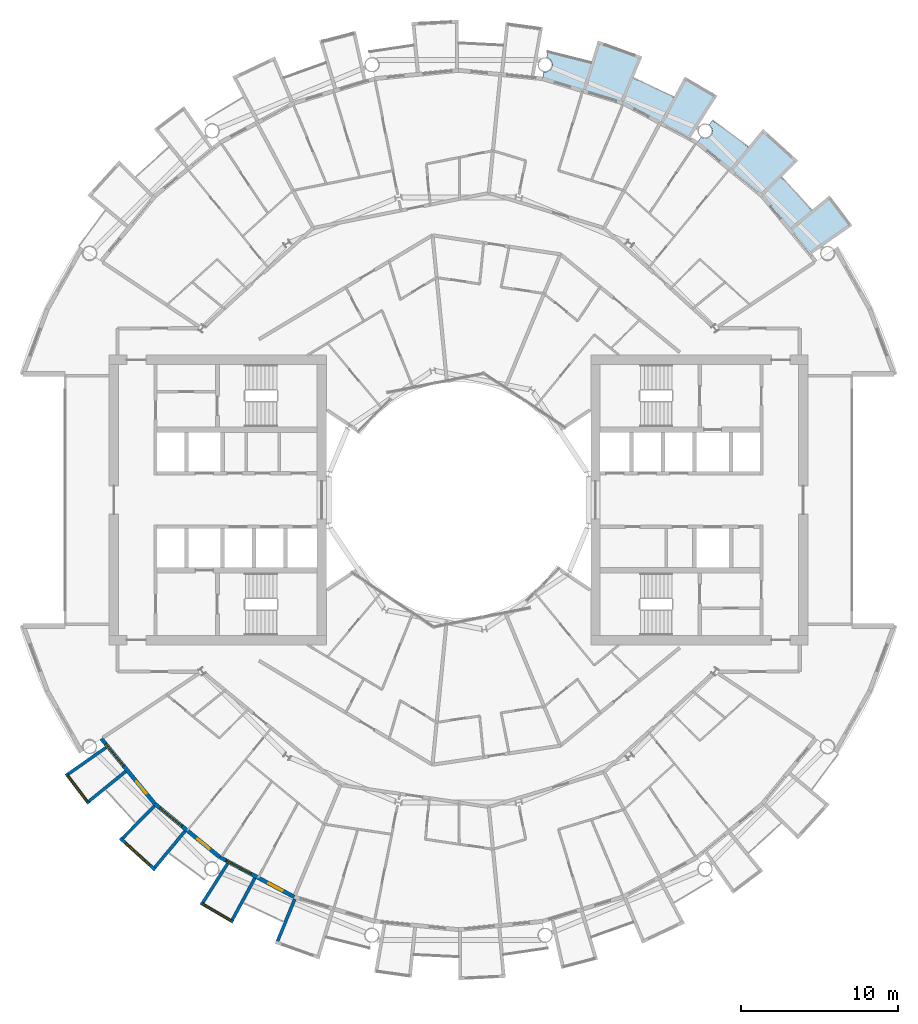
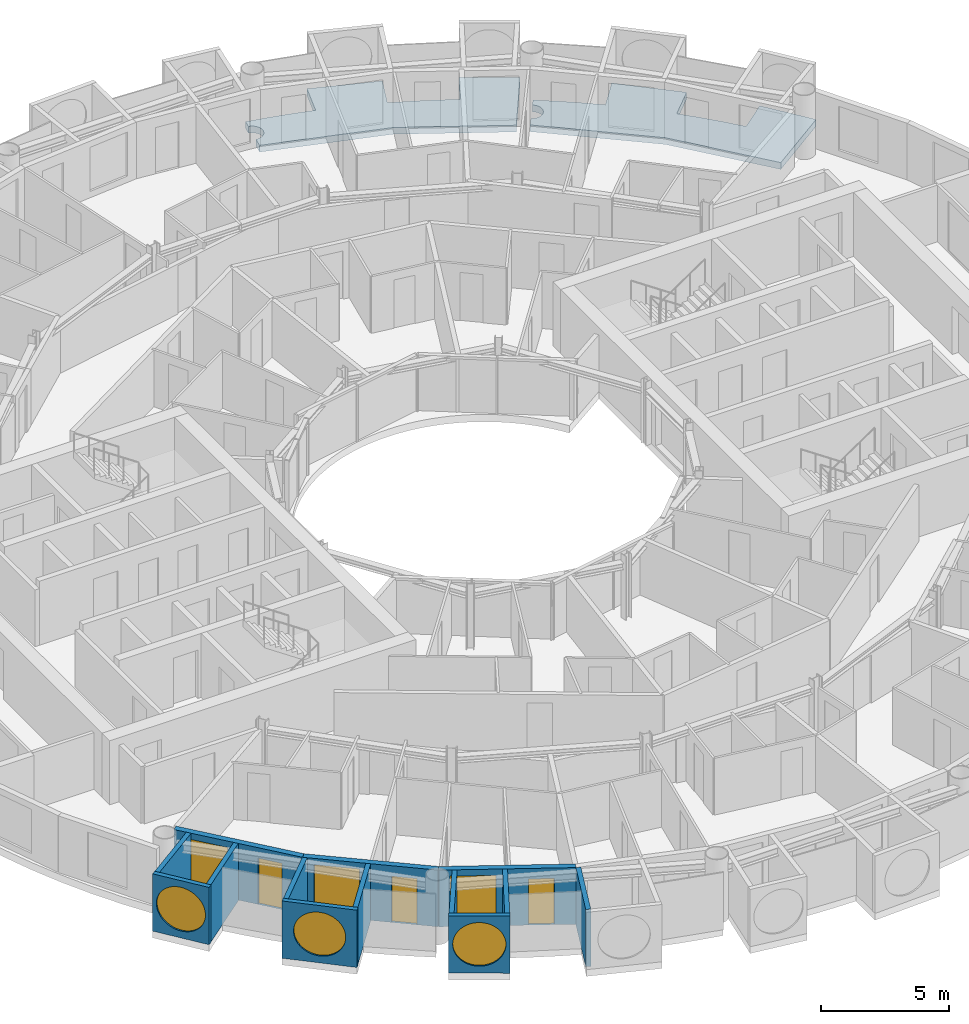
# One storey, part 13 of 28: 13 walls, 6 windows, 3 doors, 2 slabs, 9 openings.
"""IFC4 building model written with IfcOpenShell, lengths in metres."""

from ifc_helpers import new_model, si_unit, direction, frame, frame_2d, origin, place, context, subcontext, project, spatial, polyline, rectangle, circle, outline, extrude, material, layer, layer_set, type_object, element, fill, save


model = new_model("IFC4")

# Units and contexts
model_context = context("Model", 3, precision=1e-05, world=origin(), true_north=direction((0.0, 1.0)))
body_context = subcontext(model_context, "Body", "Model", "MODEL_VIEW")
ifc_project = project(units=[si_unit("LENGTHUNIT", "METRE"), si_unit("AREAUNIT", "SQUARE_METRE"), si_unit("VOLUMEUNIT", "CUBIC_METRE"), si_unit("PLANEANGLEUNIT", "RADIAN"), si_unit("MASSUNIT", "GRAM", prefix="KILO")], contexts=[model_context])

# Site, building, storey
site_placement = place(None, origin())
site = spatial("IfcSite", under=ifc_project, at=site_placement, CompositionType="ELEMENT")
building_placement = place(site_placement, origin())
building = spatial("IfcBuilding", under=site, at=building_placement, Name="Maasbend Ring Residences", CompositionType="ELEMENT")
storey_placement = place(building_placement, frame((0.0, 0.0, 129.949951171875)))
storey = spatial("IfcBuildingStorey", under=building, at=storey_placement, Name="L37", CompositionType="ELEMENT", Elevation=129.949951171875)

# Slabs
ifc_material_1 = material(Name="Concrete C40/50", Category="concrete")
ifc_layer_1 = layer(ifc_material_1, 0.199951171875)
ifc_layer_set_1 = layer_set([ifc_layer_1], Name="Concrete C40/50")
slab_type = type_object("IfcSlabType", Name="SL-LOGGIA", PredefinedType="FLOOR", material=ifc_layer_set_1)
slab_1_placement = place(storey_placement, frame((0.0, 0.0, -0.349853515625)))
element("IfcSlab", 1, at=slab_1_placement, inside=storey, type_object=slab_type, Name="Loggia floor 2", PredefinedType="FLOOR", context=body_context, shape_type="SweptSolid", body=[
    extrude(outline(polyline([(5.446044921875, 27.205078125), (5.45703125, 27.202880859375), (5.468017578125, 27.201904296875), (5.47900390625, 27.201904296875), (5.489990234375, 27.200927734375), (5.501953125, 27.200927734375), (5.512939453125, 27.200927734375), (5.52392578125, 27.201904296875), (5.534912109375, 27.201904296875), (5.5458984375, 27.202880859375), (5.556884765625, 27.205078125), (5.569091796875, 27.2060546875), (5.580078125, 27.2080078125), (5.591064453125, 27.2099609375), (5.60205078125, 27.2119140625), (5.613037109375, 27.215087890625), (5.623046875, 27.218017578125), (5.634033203125, 27.220947265625), (5.64501953125, 27.22412109375), (5.655029296875, 27.22802734375), (5.666015625, 27.23193359375), (5.676025390625, 27.236083984375), (5.68701171875, 27.239990234375), (5.697021484375, 27.2451171875), (5.70703125, 27.25), (5.717041015625, 27.2548828125), (5.72705078125, 27.260009765625), (5.736083984375, 27.26611328125), (5.74609375, 27.27197265625), (5.7548828125, 27.278076171875), (5.764892578125, 27.283935546875), (5.77392578125, 27.291015625), (5.782958984375, 27.298095703125), (5.791015625, 27.304931640625), (5.800048828125, 27.31201171875), (5.80810546875, 27.319091796875), (5.81689453125, 27.326904296875), (5.824951171875, 27.3349609375), (5.83203125, 27.343017578125), (5.840087890625, 27.35107421875), (5.847900390625, 27.360107421875), (5.85498046875, 27.367919921875), (5.862060546875, 27.376953125), (5.868896484375, 27.385986328125), (5.875, 27.39501953125), (5.881103515625, 27.404052734375), (5.887939453125, 27.4140625), (5.89306640625, 27.423095703125), (5.89892578125, 27.43310546875), (5.905029296875, 27.443115234375), (5.909912109375, 27.452880859375), (5.9150390625, 27.462890625), (5.9189453125, 27.472900390625), (5.924072265625, 27.48291015625), (5.927978515625, 27.493896484375), (5.931884765625, 27.50390625), (5.93505859375, 27.514892578125), (5.93896484375, 27.52490234375), (5.94189453125, 27.535888671875), (5.945068359375, 27.547119140625), (5.947021484375, 27.55810546875), (5.949951171875, 27.569091796875), (5.951904296875, 27.580078125), (5.9541015625, 27.591064453125), (5.955078125, 27.60205078125), (5.9560546875, 27.613037109375), (5.95703125, 27.6240234375), (5.9580078125, 27.635986328125), (5.9580078125, 27.64697265625), (5.9580078125, 27.657958984375), (5.9580078125, 27.6689453125), (5.9580078125, 27.680908203125), (5.95703125, 27.69189453125), (5.9560546875, 27.702880859375), (5.955078125, 27.714111328125), (5.9541015625, 27.72509765625), (5.951904296875, 27.736083984375), (5.949951171875, 27.7470703125), (5.947021484375, 27.758056640625), (5.945068359375, 27.76904296875), (5.94189453125, 27.780029296875), (5.93896484375, 27.791015625), (5.93505859375, 27.801025390625), (5.931884765625, 27.81201171875), (5.927978515625, 27.822998046875), (5.924072265625, 27.8330078125), (5.9189453125, 27.843017578125), (5.9150390625, 27.85302734375), (5.909912109375, 27.864013671875), (5.905029296875, 27.8740234375), (5.89892578125, 27.883056640625), (5.89306640625, 27.89306640625), (5.887939453125, 27.903076171875), (5.881103515625, 27.912109375), (5.875, 27.9208984375), (5.868896484375, 27.929931640625), (5.862060546875, 27.93896484375), (5.85498046875, 27.947998046875), (5.847900390625, 27.95703125), (5.840087890625, 27.965087890625), (5.83203125, 27.972900390625), (5.824951171875, 27.98095703125), (5.81689453125, 27.989013671875), (5.80810546875, 27.9970703125), (5.800048828125, 28.00390625), (5.791015625, 28.010986328125), (5.782958984375, 28.01806640625), (5.77392578125, 28.02490234375), (5.764892578125, 28.031982421875), (5.7548828125, 28.0380859375), (5.74609375, 28.0439453125), (5.736083984375, 28.050048828125), (5.72705078125, 28.055908203125), (5.717041015625, 28.06103515625), (5.70703125, 28.06591796875), (5.697021484375, 28.071044921875), (5.68701171875, 28.075927734375), (5.676025390625, 28.080078125), (5.666015625, 28.083984375), (5.655029296875, 28.087890625), (5.64501953125, 28.092041015625), (5.634033203125, 28.094970703125), (5.623046875, 28.09912109375), (5.613037109375, 28.10107421875), (5.60205078125, 28.10400390625), (5.591064453125, 28.10595703125), (5.657958984375, 28.443115234375), (5.657958984375, 28.443115234375), (5.657958984375, 28.443115234375), (6.5849609375, 28.241943359375), (6.5849609375, 28.241943359375), (7.506103515625, 28.011962890625), (7.506103515625, 28.011962890625), (8.41796875, 27.7509765625), (8.41796875, 27.7509765625), (8.41796875, 27.7509765625), (8.41796875, 27.7509765625), (8.41796875, 27.7509765625), (8.41796875, 27.7509765625), (8.41796875, 27.7509765625), (8.41796875, 27.7509765625), (8.41796875, 27.7509765625), (8.41796875, 27.7509765625), (8.41796875, 27.751953125), (8.41796875, 27.751953125), (8.41796875, 27.751953125), (8.41796875, 27.751953125), (8.41796875, 27.751953125), (8.41796875, 27.751953125), (8.41796875, 27.751953125), (8.85400390625, 29.18701171875), (8.85400390625, 29.18701171875), (8.85400390625, 29.18701171875), (11.672119140625, 28.177978515625), (11.672119140625, 28.177978515625), (11.672119140625, 28.177978515625), (11.097900390625, 26.79296875), (11.097900390625, 26.79296875), (11.097900390625, 26.79296875), (11.097900390625, 26.79296875), (11.097900390625, 26.79296875), (11.097900390625, 26.79296875), (11.097900390625, 26.79296875), (11.097900390625, 26.79296875), (11.097900390625, 26.79296875), (11.097900390625, 26.79296875), (11.097900390625, 26.7919921875), (11.097900390625, 26.7919921875), (11.097900390625, 26.7919921875), (11.097900390625, 26.7919921875), (11.097900390625, 26.7919921875), (11.097900390625, 26.7919921875), (11.097900390625, 26.7919921875), (11.968994140625, 26.4150390625), (11.968994140625, 26.4150390625), (12.825927734375, 26.009033203125), (12.825927734375, 26.009033203125), (13.669921875, 25.575927734375), (13.669921875, 25.575927734375), (13.669921875, 25.575927734375), (13.669921875, 25.575927734375), (13.669921875, 25.575927734375), (13.669921875, 25.575927734375), (13.669921875, 25.575927734375), (13.669921875, 25.575927734375), (13.669921875, 25.575927734375), (13.669921875, 25.575927734375), (13.6708984375, 25.575927734375), (13.6708984375, 25.575927734375), (13.6708984375, 25.575927734375), (13.6708984375, 25.575927734375), (13.6708984375, 25.575927734375), (13.6708984375, 25.575927734375), (13.6708984375, 25.575927734375), (14.3779296875, 26.89892578125), (14.3779296875, 26.89892578125), (14.3779296875, 26.89892578125), (16.44091796875, 25.68994140625), (16.44091796875, 25.68994140625), (16.44091796875, 25.68994140625), (14.68994140625, 22.9541015625), (14.68994140625, 22.9541015625), (14.68994140625, 22.9541015625), (12.806884765625, 23.9609375), (10.447021484375, 25.221923828125), (10.447021484375, 25.221923828125), (10.447021484375, 25.221923828125), (7.886962890625, 25.9990234375), (5.325927734375, 26.77490234375), (5.325927734375, 26.77490234375), (5.325927734375, 26.77490234375), (5.412109375, 27.2099609375), (5.423095703125, 27.2080078125), (5.43408203125, 27.2060546875), (5.446044921875, 27.205078125)])), origin(), (0.0, 0.0, 1.0), 0.31982421875),
])
slab_2_placement = place(storey_placement, frame((0.0, 0.0, -0.349853515625)))
element("IfcSlab", 2, at=slab_2_placement, inside=storey, type_object=slab_type, Name="Loggia floor 5", PredefinedType="FLOOR", context=body_context, shape_type="SweptSolid", body=[
    extrude(outline(polyline([(15.431884765625, 23.054931640625), (15.44189453125, 23.050048828125), (15.451904296875, 23.0439453125), (15.4619140625, 23.0390625), (15.471923828125, 23.033935546875), (15.48193359375, 23.030029296875), (15.491943359375, 23.02490234375), (15.5029296875, 23.02099609375), (15.512939453125, 23.01708984375), (15.52392578125, 23.012939453125), (15.533935546875, 23.010009765625), (15.544921875, 23.007080078125), (15.555908203125, 23.00390625), (15.56689453125, 23.001953125), (15.577880859375, 22.9990234375), (15.589111328125, 22.9970703125), (15.60009765625, 22.9951171875), (15.611083984375, 22.993896484375), (15.6220703125, 22.992919921875), (15.633056640625, 22.991943359375), (15.64501953125, 22.990966796875), (15.656005859375, 22.990966796875), (15.6669921875, 22.989990234375), (15.677978515625, 22.990966796875), (15.68994140625, 22.990966796875), (15.700927734375, 22.991943359375), (15.7119140625, 22.992919921875), (15.722900390625, 22.993896484375), (15.73388671875, 22.9951171875), (15.7451171875, 22.9970703125), (15.756103515625, 22.9990234375), (15.76708984375, 23.001953125), (15.778076171875, 23.00390625), (15.7890625, 23.007080078125), (15.800048828125, 23.010009765625), (15.81005859375, 23.012939453125), (15.821044921875, 23.01708984375), (15.83203125, 23.02099609375), (15.842041015625, 23.02490234375), (15.85205078125, 23.030029296875), (15.862060546875, 23.033935546875), (15.873046875, 23.0390625), (15.883056640625, 23.0439453125), (15.89208984375, 23.050048828125), (15.902099609375, 23.054931640625), (15.912109375, 23.06103515625), (15.9208984375, 23.06689453125), (15.929931640625, 23.073974609375), (15.93896484375, 23.080078125), (15.947998046875, 23.0869140625), (15.95703125, 23.093994140625), (15.966064453125, 23.10107421875), (15.97412109375, 23.10888671875), (15.98193359375, 23.115966796875), (15.989990234375, 23.1240234375), (15.998046875, 23.132080078125), (16.006103515625, 23.139892578125), (16.012939453125, 23.14892578125), (16.02001953125, 23.156982421875), (16.027099609375, 23.166015625), (16.033935546875, 23.175048828125), (16.041015625, 23.18408203125), (16.047119140625, 23.194091796875), (16.052978515625, 23.202880859375), (16.05908203125, 23.2119140625), (16.06494140625, 23.221923828125), (16.070068359375, 23.23193359375), (16.074951171875, 23.241943359375), (16.080078125, 23.251953125), (16.0849609375, 23.261962890625), (16.089111328125, 23.27294921875), (16.093017578125, 23.282958984375), (16.096923828125, 23.29296875), (16.10107421875, 23.303955078125), (16.10400390625, 23.31494140625), (16.10791015625, 23.325927734375), (16.110107421875, 23.3359375), (16.113037109375, 23.346923828125), (16.114990234375, 23.35791015625), (16.116943359375, 23.368896484375), (16.118896484375, 23.3798828125), (16.12109375, 23.39111328125), (16.1220703125, 23.403076171875), (16.123046875, 23.4140625), (16.1240234375, 23.425048828125), (16.1240234375, 23.43603515625), (16.1240234375, 23.447021484375), (16.1240234375, 23.458984375), (16.1240234375, 23.469970703125), (16.123046875, 23.48095703125), (16.1220703125, 23.491943359375), (16.12109375, 23.5029296875), (16.118896484375, 23.513916015625), (16.116943359375, 23.52587890625), (16.114990234375, 23.537109375), (16.113037109375, 23.548095703125), (16.110107421875, 23.55810546875), (16.10791015625, 23.569091796875), (16.10400390625, 23.580078125), (16.10107421875, 23.591064453125), (16.096923828125, 23.60107421875), (16.093017578125, 23.612060546875), (16.089111328125, 23.6220703125), (16.0849609375, 23.633056640625), (16.080078125, 23.64306640625), (16.074951171875, 23.653076171875), (16.070068359375, 23.6630859375), (16.06494140625, 23.673095703125), (16.05908203125, 23.681884765625), (16.052978515625, 23.69189453125), (16.047119140625, 23.700927734375), (16.041015625, 23.7109375), (16.033935546875, 23.719970703125), (16.027099609375, 23.72900390625), (16.02001953125, 23.737060546875), (16.012939453125, 23.74609375), (16.006103515625, 23.75390625), (15.998046875, 23.762939453125), (15.989990234375, 23.77099609375), (15.98193359375, 23.778076171875), (15.97412109375, 23.785888671875), (15.966064453125, 23.79296875), (15.95703125, 23.801025390625), (15.947998046875, 23.80810546875), (15.93896484375, 23.81396484375), (15.929931640625, 23.821044921875), (15.9208984375, 23.826904296875), (15.9208984375, 23.826904296875), (16.112060546875, 24.113037109375), (16.112060546875, 24.113037109375), (16.112060546875, 24.113037109375), (16.89208984375, 23.572998046875), (16.89208984375, 23.572998046875), (17.654052734375, 23.007080078125), (17.654052734375, 23.007080078125), (18.39697265625, 22.41796875), (18.39697265625, 22.41796875), (18.39697265625, 22.41796875), (18.39697265625, 22.41796875), (18.39697265625, 22.41796875), (18.39697265625, 22.41796875), (18.39697265625, 22.41796875), (18.39697265625, 22.41796875), (18.39697265625, 22.41796875), (18.39697265625, 22.41796875), (18.39697265625, 22.41796875), (18.39794921875, 22.41796875), (18.39794921875, 22.41796875), (18.39794921875, 22.41796875), (18.39794921875, 22.41796875), (18.39794921875, 22.41796875), (18.39794921875, 22.41796875), (19.34912109375, 23.576904296875), (19.34912109375, 23.576904296875), (19.34912109375, 23.576904296875), (21.56689453125, 21.56689453125), (21.56689453125, 21.56689453125), (21.56689453125, 21.56689453125), (20.506103515625, 20.506103515625), (20.506103515625, 20.506103515625), (20.506103515625, 20.506103515625), (20.506103515625, 20.506103515625), (20.506103515625, 20.506103515625), (20.506103515625, 20.506103515625), (20.506103515625, 20.506103515625), (20.506103515625, 20.506103515625), (20.506103515625, 20.506103515625), (20.506103515625, 20.506103515625), (20.506103515625, 20.506103515625), (20.506103515625, 20.506103515625), (20.506103515625, 20.506103515625), (20.506103515625, 20.506103515625), (20.506103515625, 20.506103515625), (20.506103515625, 20.506103515625), (20.506103515625, 20.506103515625), (21.166015625, 19.823974609375), (21.166015625, 19.823974609375), (21.802978515625, 19.12109375), (21.802978515625, 19.12109375), (22.4169921875, 18.39794921875), (22.4169921875, 18.39794921875), (22.4169921875, 18.39794921875), (22.4169921875, 18.39794921875), (22.4169921875, 18.39794921875), (22.4169921875, 18.39794921875), (22.4169921875, 18.39794921875), (22.4169921875, 18.39794921875), (22.4169921875, 18.39794921875), (22.4169921875, 18.39794921875), (22.4169921875, 18.39794921875), (22.4169921875, 18.39794921875), (22.41796875, 18.39794921875), (22.41796875, 18.39794921875), (22.41796875, 18.39794921875), (22.41796875, 18.39794921875), (22.41796875, 18.39794921875), (23.576904296875, 19.34912109375), (23.576904296875, 19.34912109375), (23.576904296875, 19.34912109375), (25.02001953125, 17.44189453125), (25.02001953125, 17.44189453125), (25.02001953125, 17.44189453125), (22.35595703125, 15.5849609375), (22.35595703125, 15.5849609375), (22.35595703125, 15.5849609375), (21.001953125, 17.236083984375), (19.303955078125, 19.303955078125), (19.303955078125, 19.303955078125), (19.303955078125, 19.303955078125), (17.236083984375, 21.001953125), (15.1669921875, 22.698974609375), (15.1669921875, 22.698974609375), (15.1669921875, 22.698974609375), (15.4130859375, 23.06689453125), (15.4130859375, 23.06689453125), (15.423095703125, 23.06103515625), (15.431884765625, 23.054931640625)])), origin(), (0.0, 0.0, 1.0), 0.31982421875),
])

# Wall, opening, window
ifc_material_2 = material(Name="Pale anodised aluminium panel", Category="aluminium")
ifc_layer_2 = layer(ifc_material_2, 0.199951171875)
ifc_layer_set_2 = layer_set([ifc_layer_2], Name="EW-BOX")
wall_type_1 = type_object("IfcWallType", Name="EW-BOX", PredefinedType="SOLIDWALL", material=ifc_layer_set_2)
wall_1_placement = place(storey_placement, frame((-24.93994140625, -17.382080078125, -0.030029296875), z_axis=(0.0, 0.0, 1.0), x_axis=(0.603375996329, -0.797456837111, 0.0)))
wall_1 = element("IfcWall", 3, at=wall_1_placement, inside=storey, type_object=wall_type_1, Name="Box front S01", PredefinedType="SOLIDWALL", context=body_context, shape_type="SweptSolid", body=[
    extrude(rectangle(XDim=2.391357421875, YDim=0.199951171875, at=frame_2d((1.19580078125, 0.0))), origin(), (0.0, 0.0, 1.0), 2.72998046875),
])
opening_1_placement = place(wall_1_placement, frame((0.15576171875, 0.0, 0.330078125)))
opening_1 = element("IfcOpeningElement", 4, at=opening_1_placement, cuts=wall_1, Name="Opening W-RD", PredefinedType="OPENING", context=body_context, shape_type="SweptSolid", body=[
    extrude(circle(Radius=1.0400390625, at=frame_2d((1.0400390625, 1.0400390625))), frame((0.0, 0.10986328125, 0.0), z_axis=(0.0, -1.0, 0.0), x_axis=(1.0, 0.0, 0.0)), (0.0, 0.0, 1.0), 0.219970703125),
])
ifc_material_3 = material(Name="Aluminium and clear glass", Category="aluminium")
window_type_1 = type_object("IfcWindowType", Name="W-RD", PartitioningType="SINGLE_PANEL", PredefinedType="WINDOW", material=ifc_material_3)
window_1_placement = place(opening_1_placement, origin())
window_1 = element("IfcWindow", 5, at=window_1_placement, inside=storey, type_object=window_type_1, Name="Round window S01", OverallHeight=2.080078125, OverallWidth=2.080078125, PartitioningType="SINGLE_PANEL", PredefinedType="WINDOW", context=body_context, shape_type="SweptSolid", body=[
    extrude(circle(Radius=1.0400390625, at=frame_2d((1.0400390625, 1.0400390625))), frame((0.0, 0.030029296875, 0.0), z_axis=(0.0, -1.0, 0.0), x_axis=(1.0, 0.0, 0.0)), (0.0, 0.0, 1.0), 0.06005859375),
])
fill(opening_1, window_1)

# Walls
wall_2_placement = place(storey_placement, frame((-22.402099609375, -15.72607421875, -0.030029296875), z_axis=(0.0, 0.0, 1.0), x_axis=(-0.818275399393, -0.574826383135, 0.0)))
element("IfcWall", 6, at=wall_2_placement, inside=storey, type_object=wall_type_1, Name="Box side wall S01 left", PredefinedType="SOLIDWALL", context=body_context, shape_type="SweptSolid", body=[
    extrude(rectangle(XDim=2.92919921875, YDim=0.199951171875, at=frame_2d((1.464599609375, 0.0))), origin(), (0.0, 0.0, 1.0), 2.72998046875),
])
wall_3_placement = place(storey_placement, frame((-21.155029296875, -17.24609375, -0.030029296875), z_axis=(0.0, 0.0, 1.0), x_axis=(-0.775179004516, -0.631741648902, 0.0)))
element("IfcWall", 7, at=wall_3_placement, inside=storey, type_object=wall_type_1, Name="Box side wall S01 right", PredefinedType="SOLIDWALL", context=body_context, shape_type="SweptSolid", body=[
    extrude(rectangle(XDim=3.005859375, YDim=0.199951171875, at=frame_2d((1.5029296875, 0.0))), origin(), (0.0, 0.0, 1.0), 2.72998046875),
])

# Wall, opening, window
wall_4_placement = place(storey_placement, frame((-21.5, -21.492919921875, -0.030029296875), z_axis=(0.0, 0.0, 1.0), x_axis=(0.740998365753, -0.671506829416, 0.0)))
wall_4 = element("IfcWall", 8, at=wall_4_placement, inside=storey, type_object=wall_type_1, Name="Box front S03", PredefinedType="SOLIDWALL", context=body_context, shape_type="SweptSolid", body=[
    extrude(rectangle(XDim=2.9931640625, YDim=0.199951171875, at=frame_2d((1.49658203125, 0.0))), origin(), (0.0, 0.0, 1.0), 2.72998046875),
])
opening_2_placement = place(wall_4_placement, frame((0.45654296875, 0.0, 0.330078125)))
opening_2 = element("IfcOpeningElement", 9, at=opening_2_placement, cuts=wall_4, Name="Opening W-RD", PredefinedType="OPENING", context=body_context, shape_type="SweptSolid", body=[
    extrude(circle(Radius=1.0400390625, at=frame_2d((1.0400390625, 1.0400390625))), frame((0.0, 0.10986328125, 0.0), z_axis=(0.0, -1.0, 0.0), x_axis=(1.0, 0.0, 0.0)), (0.0, 0.0, 1.0), 0.219970703125),
])
window_2_placement = place(opening_2_placement, origin())
window_2 = element("IfcWindow", 10, at=window_2_placement, inside=storey, type_object=window_type_1, Name="Round window S03", OverallHeight=2.080078125, OverallWidth=2.080078125, PartitioningType="SINGLE_PANEL", PredefinedType="WINDOW", context=body_context, shape_type="SweptSolid", body=[
    extrude(circle(Radius=1.0400390625, at=frame_2d((1.0400390625, 1.0400390625))), frame((0.0, 0.030029296875, 0.0), z_axis=(0.0, -1.0, 0.0), x_axis=(1.0, 0.0, 0.0)), (0.0, 0.0, 1.0), 0.06005859375),
])
fill(opening_2, window_2)

# Walls
wall_5_placement = place(storey_placement, frame((-19.322998046875, -19.449951171875, -0.030029296875), z_axis=(0.0, 0.0, 1.0), x_axis=(-0.704476739375, -0.709727076896, 0.0)))
element("IfcWall", 11, at=wall_5_placement, inside=storey, type_object=wall_type_1, Name="Box side wall S03 left", PredefinedType="SOLIDWALL", context=body_context, shape_type="SweptSolid", body=[
    extrude(rectangle(XDim=2.883056640625, YDim=0.199951171875, at=frame_2d((1.44140625, 0.0))), origin(), (0.0, 0.0, 1.0), 2.72998046875),
])
wall_6_placement = place(storey_placement, frame((-17.384033203125, -21.041015625, -0.030029296875), z_axis=(0.0, 0.0, 1.0), x_axis=(-0.63709551667, -0.770784861449, 0.0)))
element("IfcWall", 12, at=wall_6_placement, inside=storey, type_object=wall_type_1, Name="Box side wall S03 right", PredefinedType="SOLIDWALL", context=body_context, shape_type="SweptSolid", body=[
    extrude(rectangle(XDim=3.005859375, YDim=0.199951171875, at=frame_2d((1.5029296875, 0.0))), origin(), (0.0, 0.0, 1.0), 2.72998046875),
])

# Wall, opening, window
wall_7_placement = place(storey_placement, frame((-16.389892578125, -25.60302734375, -0.030029296875), z_axis=(0.0, 0.0, 1.0), x_axis=(0.862762477128, -0.505609442218, 0.0)))
wall_7 = element("IfcWall", 13, at=wall_7_placement, inside=storey, type_object=wall_type_1, Name="Box front S05", PredefinedType="SOLIDWALL", context=body_context, shape_type="SweptSolid", body=[
    extrude(rectangle(XDim=2.39111328125, YDim=0.199951171875, at=frame_2d((1.195556640625, 0.0))), origin(), (0.0, 0.0, 1.0), 2.72998046875),
])
opening_3_placement = place(wall_7_placement, frame((0.15576171875, 0.0, 0.330078125)))
opening_3 = element("IfcOpeningElement", 14, at=opening_3_placement, cuts=wall_7, Name="Opening W-RD", PredefinedType="OPENING", context=body_context, shape_type="SweptSolid", body=[
    extrude(circle(Radius=1.0400390625, at=frame_2d((1.0400390625, 1.0400390625))), frame((0.0, 0.10986328125, 0.0), z_axis=(0.0, -1.0, 0.0), x_axis=(1.0, 0.0, 0.0)), (0.0, 0.0, 1.0), 0.219970703125),
])
window_3_placement = place(opening_3_placement, origin())
window_3 = element("IfcWindow", 15, at=window_3_placement, inside=storey, type_object=window_type_1, Name="Round window S05", OverallHeight=2.080078125, OverallWidth=2.080078125, PartitioningType="SINGLE_PANEL", PredefinedType="WINDOW", context=body_context, shape_type="SweptSolid", body=[
    extrude(circle(Radius=1.0400390625, at=frame_2d((1.0400390625, 1.0400390625))), frame((0.0, 0.030029296875, 0.0), z_axis=(0.0, -1.0, 0.0), x_axis=(1.0, 0.0, 0.0)), (0.0, 0.0, 1.0), 0.06005859375),
])
fill(opening_3, window_3)

# Walls
wall_8_placement = place(storey_placement, frame((-14.677978515625, -23.10205078125, -0.030029296875), z_axis=(0.0, 0.0, 1.0), x_axis=(-0.536001536573, -0.844217005746, 0.0)))
element("IfcWall", 16, at=wall_8_placement, inside=storey, type_object=wall_type_1, Name="Box side wall S05 left", PredefinedType="SOLIDWALL", context=body_context, shape_type="SweptSolid", body=[
    extrude(rectangle(XDim=2.92919921875, YDim=0.199951171875, at=frame_2d((1.464599609375, 0.0))), origin(), (0.0, 0.0, 1.0), 2.72998046875),
])
wall_9_placement = place(storey_placement, frame((-12.945068359375, -24.029052734375, -0.030029296875), z_axis=(0.0, 0.0, 1.0), x_axis=(-0.474424310775, -0.88029629861, 0.0)))
element("IfcWall", 17, at=wall_9_placement, inside=storey, type_object=wall_type_1, Name="Box side wall S05 right", PredefinedType="SOLIDWALL", context=body_context, shape_type="SweptSolid", body=[
    extrude(rectangle(XDim=3.005859375, YDim=0.199951171875, at=frame_2d((1.5029296875, 0.0))), origin(), (0.0, 0.0, 1.0), 2.72998046875),
])
wall_10_placement = place(storey_placement, frame((-10.408935546875, -25.364013671875, -0.030029296875), z_axis=(0.0, 0.0, 1.0), x_axis=(-0.379509886562, -0.925187681501, 0.0)))
element("IfcWall", 18, at=wall_10_placement, inside=storey, type_object=wall_type_1, Name="Box side wall S07 left", PredefinedType="SOLIDWALL", context=body_context, shape_type="SweptSolid", body=[
    extrude(rectangle(XDim=2.882568359375, YDim=0.199951171875, at=frame_2d((1.44140625, 0.0))), origin(), (0.0, 0.0, 1.0), 2.72998046875),
])

# Wall, openings, door, window
ifc_material_4 = material(Name="Aluminium clad insulated panel", Category="aluminium")
ifc_layer_3 = layer(ifc_material_4, 0.25)
ifc_layer_set_3 = layer_set([ifc_layer_3], Name="EW-GL")
wall_type_2 = type_object("IfcWallType", Name="EW-GL", PredefinedType="SOLIDWALL", material=ifc_layer_set_3)
wall_11_placement = place(storey_placement, frame((-22.698974609375, -15.1669921875, 0.0), z_axis=(0.0, 0.0, 1.0), x_axis=(0.634382322723, -0.773019449054, 0.0)))
wall_11 = element("IfcWall", 19, at=wall_11_placement, inside=storey, type_object=wall_type_2, Name="External wall S01", PredefinedType="SOLIDWALL", context=body_context, shape_type="SweptSolid", body=[
    extrude(rectangle(XDim=5.351806640625, YDim=0.25, at=frame_2d((2.67578125, 0.0))), origin(), (0.0, 0.0, 1.0), 2.699951171875),
])
opening_4_placement = place(wall_11_placement, frame((0.441162109375, 0.0, 0.300048828125)))
opening_4 = element("IfcOpeningElement", 20, at=opening_4_placement, cuts=wall_11, Name="Opening W-BX", PredefinedType="OPENING", context=body_context, shape_type="SweptSolid", body=[
    extrude(rectangle(XDim=1.800048828125, YDim=2.10009765625, at=frame_2d((0.89990234375, 1.050048828125))), frame((0.0, 0.135009765625, 0.0), z_axis=(0.0, -1.0, 0.0), x_axis=(1.0, 0.0, 0.0)), (0.0, 0.0, 1.0), 0.27001953125),
])
opening_5_placement = place(wall_11_placement, frame((3.510498046875, 0.0, 0.0)))
opening_5 = element("IfcOpeningElement", 21, at=opening_5_placement, cuts=wall_11, Name="Opening D-LG", PredefinedType="OPENING", context=body_context, shape_type="SweptSolid", body=[
    extrude(rectangle(XDim=1.0, YDim=2.199951171875, at=frame_2d((0.5, 1.10009765625))), frame((0.0, 0.135009765625, 0.0), z_axis=(0.0, -1.0, 0.0), x_axis=(1.0, 0.0, 0.0)), (0.0, 0.0, 1.0), 0.27001953125),
])
ifc_material_5 = material(Name="Aluminium and clear glass", Category="aluminium")
door_type = type_object("IfcDoorType", Name="D-LG", OperationType="SINGLE_SWING_LEFT", PredefinedType="DOOR", material=ifc_material_5)
door_1_placement = place(opening_5_placement, origin())
door_1 = element("IfcDoor", 22, at=door_1_placement, inside=storey, type_object=door_type, Name="Loggia door S02", OperationType="SINGLE_SWING_LEFT", OverallHeight=2.199951171875, OverallWidth=1.0, PredefinedType="DOOR", context=body_context, shape_type="SweptSolid", body=[
    extrude(rectangle(XDim=1.0, YDim=2.199951171875, at=frame_2d((0.5, 1.10009765625))), frame((0.0, 0.02490234375, 0.0), z_axis=(0.0, -1.0, 0.0), x_axis=(1.0, 0.0, 0.0)), (0.0, 0.0, 1.0), 0.050048828125),
])
fill(opening_5, door_1)
ifc_material_6 = material(Name="Aluminium and clear glass", Category="aluminium")
window_type_2 = type_object("IfcWindowType", Name="W-BX", PartitioningType="DOUBLE_PANEL_VERTICAL", PredefinedType="WINDOW", material=ifc_material_6)
window_4_placement = place(opening_4_placement, origin())
window_4 = element("IfcWindow", 23, at=window_4_placement, inside=storey, type_object=window_type_2, Name="Window S01 room to box", OverallHeight=2.10009765625, OverallWidth=1.800048828125, PartitioningType="SINGLE_PANEL", PredefinedType="WINDOW", context=body_context, shape_type="SweptSolid", body=[
    extrude(rectangle(XDim=1.800048828125, YDim=2.10009765625, at=frame_2d((0.89990234375, 1.050048828125))), frame((0.0, 0.030029296875, 0.0), z_axis=(0.0, -1.0, 0.0), x_axis=(1.0, 0.0, 0.0)), (0.0, 0.0, 1.0), 0.06005859375),
])
fill(opening_4, window_4)

wall_12_placement = place(storey_placement, frame((-19.303955078125, -19.303955078125, 0.0), z_axis=(0.0, 0.0, 1.0), x_axis=(0.773019449054, -0.634382322723, 0.0)))
wall_12 = element("IfcWall", 24, at=wall_12_placement, inside=storey, type_object=wall_type_2, Name="External wall S02", PredefinedType="SOLIDWALL", context=body_context, shape_type="SweptSolid", body=[
    extrude(rectangle(XDim=5.351806640625, YDim=0.25, at=frame_2d((2.67578125, 0.0))), origin(), (0.0, 0.0, 1.0), 2.699951171875),
])
opening_6_placement = place(wall_12_placement, frame((0.441162109375, 0.0, 0.300048828125)))
opening_6 = element("IfcOpeningElement", 25, at=opening_6_placement, cuts=wall_12, Name="Opening W-BX", PredefinedType="OPENING", context=body_context, shape_type="SweptSolid", body=[
    extrude(rectangle(XDim=1.800048828125, YDim=2.10009765625, at=frame_2d((0.89990234375, 1.050048828125))), frame((0.0, 0.135009765625, 0.0), z_axis=(0.0, -1.0, 0.0), x_axis=(1.0, 0.0, 0.0)), (0.0, 0.0, 1.0), 0.27001953125),
])
opening_7_placement = place(wall_12_placement, frame((3.510498046875, 0.0, 0.0)))
opening_7 = element("IfcOpeningElement", 26, at=opening_7_placement, cuts=wall_12, Name="Opening D-LG", PredefinedType="OPENING", context=body_context, shape_type="SweptSolid", body=[
    extrude(rectangle(XDim=1.0, YDim=2.199951171875, at=frame_2d((0.5, 1.10009765625))), frame((0.0, 0.135009765625, 0.0), z_axis=(0.0, -1.0, 0.0), x_axis=(1.0, 0.0, 0.0)), (0.0, 0.0, 1.0), 0.27001953125),
])
door_2_placement = place(opening_7_placement, origin())
door_2 = element("IfcDoor", 27, at=door_2_placement, inside=storey, type_object=door_type, Name="Loggia door S04", OperationType="SINGLE_SWING_LEFT", OverallHeight=2.199951171875, OverallWidth=1.0, PredefinedType="DOOR", context=body_context, shape_type="SweptSolid", body=[
    extrude(rectangle(XDim=1.0, YDim=2.199951171875, at=frame_2d((0.5, 1.10009765625))), frame((0.0, 0.02490234375, 0.0), z_axis=(0.0, -1.0, 0.0), x_axis=(1.0, 0.0, 0.0)), (0.0, 0.0, 1.0), 0.050048828125),
])
fill(opening_7, door_2)
window_5_placement = place(opening_6_placement, origin())
window_5 = element("IfcWindow", 28, at=window_5_placement, inside=storey, type_object=window_type_2, Name="Window S03 room to box", OverallHeight=2.10009765625, OverallWidth=1.800048828125, PartitioningType="SINGLE_PANEL", PredefinedType="WINDOW", context=body_context, shape_type="SweptSolid", body=[
    extrude(rectangle(XDim=1.800048828125, YDim=2.10009765625, at=frame_2d((0.89990234375, 1.050048828125))), frame((0.0, 0.030029296875, 0.0), z_axis=(0.0, -1.0, 0.0), x_axis=(1.0, 0.0, 0.0)), (0.0, 0.0, 1.0), 0.06005859375),
])
fill(opening_6, window_5)

wall_13_placement = place(storey_placement, frame((-15.1669921875, -22.698974609375, 0.0), z_axis=(0.0, 0.0, 1.0), x_axis=(0.881915646801, -0.471407246368, 0.0)))
wall_13 = element("IfcWall", 29, at=wall_13_placement, inside=storey, type_object=wall_type_2, Name="External wall S03", PredefinedType="SOLIDWALL", context=body_context, shape_type="SweptSolid", body=[
    extrude(rectangle(XDim=5.35205078125, YDim=0.25, at=frame_2d((2.676025390625, 0.0))), origin(), (0.0, 0.0, 1.0), 2.699951171875),
])
opening_8_placement = place(wall_13_placement, frame((0.441162109375, 0.0, 0.300048828125)))
opening_8 = element("IfcOpeningElement", 30, at=opening_8_placement, cuts=wall_13, Name="Opening W-BX", PredefinedType="OPENING", context=body_context, shape_type="SweptSolid", body=[
    extrude(rectangle(XDim=1.800048828125, YDim=2.10009765625, at=frame_2d((0.89990234375, 1.050048828125))), frame((0.0, 0.135009765625, 0.0), z_axis=(0.0, -1.0, 0.0), x_axis=(1.0, 0.0, 0.0)), (0.0, 0.0, 1.0), 0.27001953125),
])
opening_9_placement = place(wall_13_placement, frame((3.510498046875, 0.0, 0.0)))
opening_9 = element("IfcOpeningElement", 31, at=opening_9_placement, cuts=wall_13, Name="Opening D-LG", PredefinedType="OPENING", context=body_context, shape_type="SweptSolid", body=[
    extrude(rectangle(XDim=1.0, YDim=2.199951171875, at=frame_2d((0.5, 1.10009765625))), frame((0.0, 0.135009765625, 0.0), z_axis=(0.0, -1.0, 0.0), x_axis=(1.0, 0.0, 0.0)), (0.0, 0.0, 1.0), 0.27001953125),
])
door_3_placement = place(opening_9_placement, origin())
door_3 = element("IfcDoor", 32, at=door_3_placement, inside=storey, type_object=door_type, Name="Loggia door S06", OperationType="SINGLE_SWING_LEFT", OverallHeight=2.199951171875, OverallWidth=1.0, PredefinedType="DOOR", context=body_context, shape_type="SweptSolid", body=[
    extrude(rectangle(XDim=1.0, YDim=2.199951171875, at=frame_2d((0.5, 1.10009765625))), frame((0.0, 0.02490234375, 0.0), z_axis=(0.0, -1.0, 0.0), x_axis=(1.0, 0.0, 0.0)), (0.0, 0.0, 1.0), 0.050048828125),
])
fill(opening_9, door_3)
window_6_placement = place(opening_8_placement, origin())
window_6 = element("IfcWindow", 33, at=window_6_placement, inside=storey, type_object=window_type_2, Name="Window S05 room to box", OverallHeight=2.10009765625, OverallWidth=1.800048828125, PartitioningType="SINGLE_PANEL", PredefinedType="WINDOW", context=body_context, shape_type="SweptSolid", body=[
    extrude(rectangle(XDim=1.800048828125, YDim=2.10009765625, at=frame_2d((0.89990234375, 1.050048828125))), frame((0.0, 0.030029296875, 0.0), z_axis=(0.0, -1.0, 0.0), x_axis=(1.0, 0.0, 0.0)), (0.0, 0.0, 1.0), 0.06005859375),
])
fill(opening_8, window_6)

save(model, "model.ifc")
